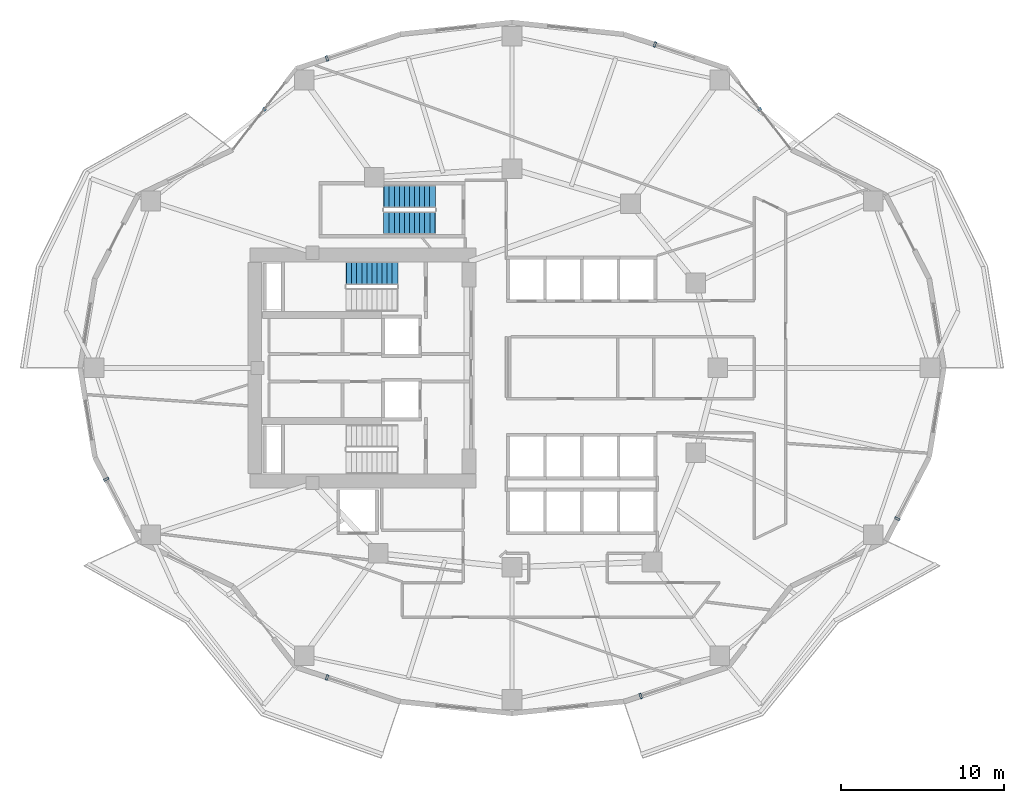
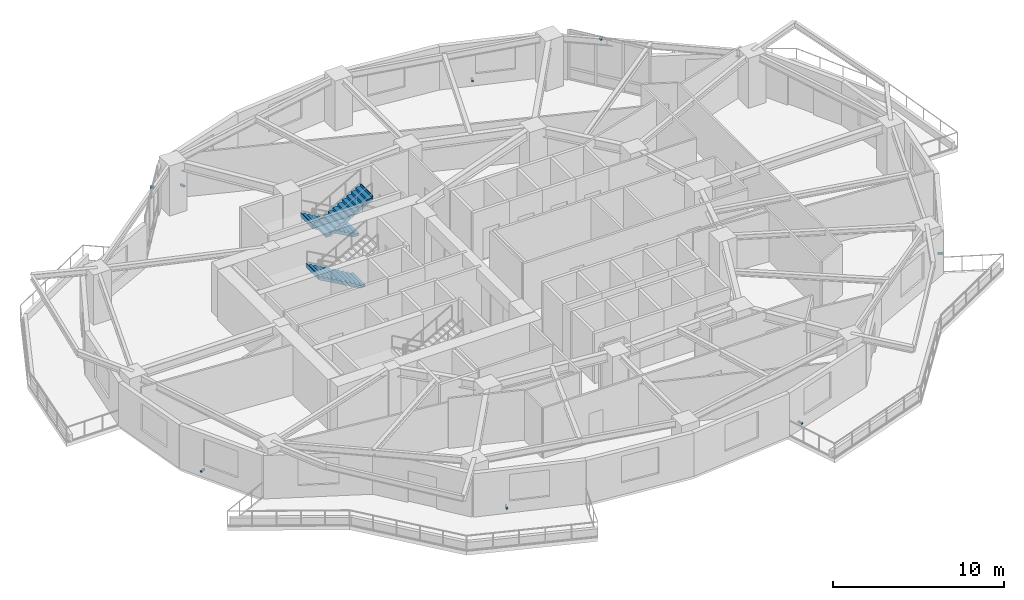
# One storey, part 9 of 12: 8 discrete accessories, 3 stair flights, 2 elements without a shape of their own.
"""IFC4 building model written with IfcOpenShell, lengths in metres."""

from ifc_helpers import new_model, si_unit, direction, frame, origin, origin_2d, place, context, subcontext, project, spatial, polyline, rectangle, outline, extrude, material, type_object, element, aggregate, save


model = new_model("IFC4")

# Units and contexts
model_context = context("Model", 3, precision=1e-05, world=origin(), true_north=direction((0.0, 1.0)))
body_context = subcontext(model_context, "Body", "Model", "MODEL_VIEW")
ifc_project = project(units=[si_unit("LENGTHUNIT", "METRE"), si_unit("AREAUNIT", "SQUARE_METRE"), si_unit("VOLUMEUNIT", "CUBIC_METRE"), si_unit("PLANEANGLEUNIT", "RADIAN"), si_unit("MASSUNIT", "GRAM", prefix="KILO")], contexts=[model_context])

# Site, building, storey
site_placement = place(None, origin())
site = spatial("IfcSite", under=ifc_project, at=site_placement, CompositionType="ELEMENT")
building_placement = place(site_placement, origin())
building = spatial("IfcBuilding", under=site, at=building_placement, Name="Kolvaren Gate Tower and Convention Centre", CompositionType="ELEMENT")
storey_placement = place(building_placement, frame((0.0, 0.0, 84.25)))
storey = spatial("IfcBuildingStorey", under=building, at=storey_placement, Name="L20", CompositionType="ELEMENT", Elevation=84.25)

# Stair, stair flight
ifc_material_1 = material(Name="Concrete C50/60", Category="concrete")
stair_type = type_object("IfcStairType", Name="STR-STAIR-CORE", PredefinedType="HALF_TURN_STAIR", material=ifc_material_1)
stair_1_placement = place(storey_placement, origin())
stair_1 = element("IfcStair", 1, at=stair_1_placement, inside=storey, type_object=stair_type, Name="L20 Tower North Exit Stair ST-T1", PredefinedType="HALF_TURN_STAIR")
stair_flight_type = type_object("IfcStairFlightType", Name="STR-SFL-1420", PredefinedType="STRAIGHT", material=ifc_material_1)
stair_flight_1_placement = place(storey_placement, frame((23.10009765625, 32.7900390625, 0.0), z_axis=(0.0, 0.0, 1.0), x_axis=(-1.0, 0.0, 0.0)))
stair_flight_1 = element("IfcStairFlight", 2, at=stair_flight_1_placement, type_object=stair_flight_type, Name="ST-T1 flight 1", NumberOfRisers=11, NumberOfTreads=10, PredefinedType="STRAIGHT", RiserHeight=0.175, TreadLength=0.31, context=body_context, shape_type="SweptSolid", body=[
    extrude(outline(polyline([(-0.034912109375, 0.0), (-0.034912109375, 0.175048828125), (0.31005859375, 0.175048828125), (0.31005859375, 0.35009765625), (0.6201171875, 0.35009765625), (0.6201171875, 0.52490234375), (0.929931640625, 0.52490234375), (0.929931640625, 0.699951171875), (1.239990234375, 0.699951171875), (1.239990234375, 0.875), (1.550048828125, 0.875), (1.550048828125, 1.050048828125), (1.860107421875, 1.050048828125), (1.860107421875, 1.22509765625), (2.169921875, 1.22509765625), (2.169921875, 1.39990234375), (2.47998046875, 1.39990234375), (2.47998046875, 1.574951171875), (2.7900390625, 1.574951171875), (2.7900390625, 1.75), (3.10009765625, 1.75), (3.10009765625, 1.925048828125), (3.14501953125, 1.925048828125), (3.14501953125, 1.764892578125), (3.10009765625, 1.577880859375), (0.304931640625, 0.0), (-0.034912109375, 0.0)])), frame((0.0, 0.7099609375, 0.0), z_axis=(0.0, -1.0, 0.0), x_axis=(1.0, 0.0, 0.0)), (0.0, 0.0, 1.0), 1.419921875),
])
aggregate(stair_1, [stair_flight_1])

# Stair, stair flights
stair_2_placement = place(storey_placement, origin())
stair_2 = element("IfcStair", 3, at=stair_2_placement, inside=storey, type_object=stair_type, Name="L20 Tower Mid-Zone Exit Stair ST-T3", PredefinedType="HALF_TURN_STAIR")
stair_flight_2_placement = place(storey_placement, frame((25.39990234375, 37.489990234375, 0.0), z_axis=(0.0, 0.0, 1.0), x_axis=(-1.0, 0.0, 0.0)))
stair_flight_2 = element("IfcStairFlight", 4, at=stair_flight_2_placement, type_object=stair_flight_type, Name="ST-T3 flight 1", NumberOfRisers=11, NumberOfTreads=10, PredefinedType="STRAIGHT", RiserHeight=0.175, TreadLength=0.31, context=body_context, shape_type="SweptSolid", body=[
    extrude(outline(polyline([(-0.034912109375, 0.0), (-0.034912109375, 0.175048828125), (0.31005859375, 0.175048828125), (0.31005859375, 0.35009765625), (0.6201171875, 0.35009765625), (0.6201171875, 0.52490234375), (0.929931640625, 0.52490234375), (0.929931640625, 0.699951171875), (1.239990234375, 0.699951171875), (1.239990234375, 0.875), (1.550048828125, 0.875), (1.550048828125, 1.050048828125), (1.860107421875, 1.050048828125), (1.860107421875, 1.22509765625), (2.169921875, 1.22509765625), (2.169921875, 1.39990234375), (2.47998046875, 1.39990234375), (2.47998046875, 1.574951171875), (2.7900390625, 1.574951171875), (2.7900390625, 1.75), (3.10009765625, 1.75), (3.10009765625, 1.925048828125), (3.14501953125, 1.925048828125), (3.14501953125, 1.764892578125), (3.10009765625, 1.577880859375), (0.304931640625, 0.0), (-0.034912109375, 0.0)])), frame((0.0, 0.7099609375, 0.0), z_axis=(0.0, -1.0, 0.0), x_axis=(1.0, 0.0, 0.0)), (0.0, 0.0, 1.0), 1.419921875),
])
stair_flight_3_placement = place(storey_placement, frame((22.300048828125, 35.8701171875, 1.925048828125), z_axis=(0.0, 0.0, 1.0), x_axis=(1.0, 0.0, 0.0)))
stair_flight_3 = element("IfcStairFlight", 5, at=stair_flight_3_placement, type_object=stair_flight_type, Name="ST-T3 flight 2", NumberOfRisers=11, NumberOfTreads=10, PredefinedType="STRAIGHT", RiserHeight=0.175, TreadLength=0.31, context=body_context, shape_type="SweptSolid", body=[
    extrude(outline(polyline([(-0.034912109375, 0.0), (-0.034912109375, 0.175048828125), (0.31005859375, 0.175048828125), (0.31005859375, 0.35009765625), (0.6201171875, 0.35009765625), (0.6201171875, 0.52490234375), (0.929931640625, 0.52490234375), (0.929931640625, 0.699951171875), (1.239990234375, 0.699951171875), (1.239990234375, 0.875), (1.550048828125, 0.875), (1.550048828125, 1.050048828125), (1.860107421875, 1.050048828125), (1.860107421875, 1.22509765625), (2.169921875, 1.22509765625), (2.169921875, 1.39990234375), (2.47998046875, 1.39990234375), (2.47998046875, 1.574951171875), (2.7900390625, 1.574951171875), (2.7900390625, 1.75), (3.10009765625, 1.75), (3.10009765625, 1.925048828125), (3.14501953125, 1.925048828125), (3.14501953125, 1.764892578125), (3.10009765625, 1.577880859375), (0.304931640625, 0.0), (-0.034912109375, 0.0)])), frame((0.0, 0.7099609375, 0.0), z_axis=(0.0, -1.0, 0.0), x_axis=(1.0, 0.0, 0.0)), (0.0, 0.0, 1.0), 1.419921875),
])
aggregate(stair_2, [stair_flight_2, stair_flight_3])

# Discrete accessories
ifc_material_2 = material(Name="Anodized Architectural Aluminium Alloy 6063-T6", Category="aluminium")
discrete_accessory_type = type_object("IfcDiscreteAccessoryType", Name="ARCH-ACC-BRACKET-120", PredefinedType="BRACKET", material=ifc_material_2)
discrete_accessory_1_placement = place(storey_placement, frame((45.283935546875, 42.83837890625, 3.389892578125), z_axis=(0.0, 0.0, 1.0), x_axis=(0.616431370541, -0.787408639407, 0.0)))
element("IfcDiscreteAccessory", 6, at=discrete_accessory_1_placement, inside=storey, type_object=discrete_accessory_type, Name="Solar Screen Spandrel Anchor Bracket BK-L20-03", PredefinedType="BRACKET", context=body_context, shape_type="SweptSolid", body=[
    extrude(rectangle(XDim=0.179931640625, YDim=0.219970703125, at=origin_2d()), origin(), (0.0, 0.0, 1.0), 0.1201171875),
])
for number, where, z_axis, x_axis, name in (
    (7, (38.864990234375, 46.800537109375, 0.2900390625), (0.0, 0.0, 1.0), (0.949241728595, -0.314547517385, 0.0), "Ceramic Fin Wall Anchor Bracket FBK-L20-04"),
    (8, (18.8037109375, 45.9453125, 0.2900390625), (0.0, 0.0, 1.0), (0.949240081615, 0.314552487599, 0.0), "Ceramic Fin Wall Anchor Bracket FBK-L20-07"),
):
    element("IfcDiscreteAccessory", number, at=place(storey_placement, frame(where, z_axis=z_axis, x_axis=x_axis)), inside=storey, type_object=discrete_accessory_type, Name=name, PredefinedType="BRACKET", context=body_context, shape_type="SweptSolid", body=[
        extrude(rectangle(XDim=0.1201171875, YDim=0.320068359375, at=origin_2d()), origin(), (0.0, 0.0, 1.0), 0.1201171875),
    ])
discrete_accessory_2_placement = place(storey_placement, frame((14.96630859375, 42.83837890625, 3.389892578125), z_axis=(0.0, 0.0, 1.0), x_axis=(0.61644236478, 0.787400032325, 0.0)))
element("IfcDiscreteAccessory", 9, at=discrete_accessory_2_placement, inside=storey, type_object=discrete_accessory_type, Name="Solar Screen Spandrel Anchor Bracket BK-L20-08", PredefinedType="BRACKET", context=body_context, shape_type="SweptSolid", body=[
    extrude(rectangle(XDim=0.179931640625, YDim=0.219970703125, at=origin_2d()), origin(), (0.0, 0.0, 1.0), 0.1201171875),
])
for number, where, z_axis, x_axis, name in (
    (10, (5.283447265625, 20.183349609375, 0.2900390625), (0.0, 0.0, 1.0), (0.45980150925, -0.888021718254, 0.0), "Ceramic Fin Wall Anchor Bracket FBK-L20-13"),
    (11, (18.8037109375, 8.0546875, 0.2900390625), (0.0, 0.0, 1.0), (0.949241728595, -0.314547517385, 0.0), "Ceramic Fin Wall Anchor Bracket FBK-L20-16"),
    (12, (38.002197265625, 6.91357421875, 0.2900390625), (0.0, 0.0, 1.0), (0.949241728595, 0.314547517385, 0.0), "Ceramic Fin Wall Anchor Bracket FBK-L20-19"),
    (13, (53.7158203125, 17.767578125, 0.2900390625), (0.0, 0.0, 1.0), (0.45980150925, 0.888021718254, 0.0), "Ceramic Fin Wall Anchor Bracket FBK-L20-22"),
):
    element("IfcDiscreteAccessory", number, at=place(storey_placement, frame(where, z_axis=z_axis, x_axis=x_axis)), inside=storey, type_object=discrete_accessory_type, Name=name, PredefinedType="BRACKET", context=body_context, shape_type="SweptSolid", body=[
        extrude(rectangle(XDim=0.1201171875, YDim=0.320068359375, at=origin_2d()), origin(), (0.0, 0.0, 1.0), 0.1201171875),
    ])

save(model, "model.ifc")
